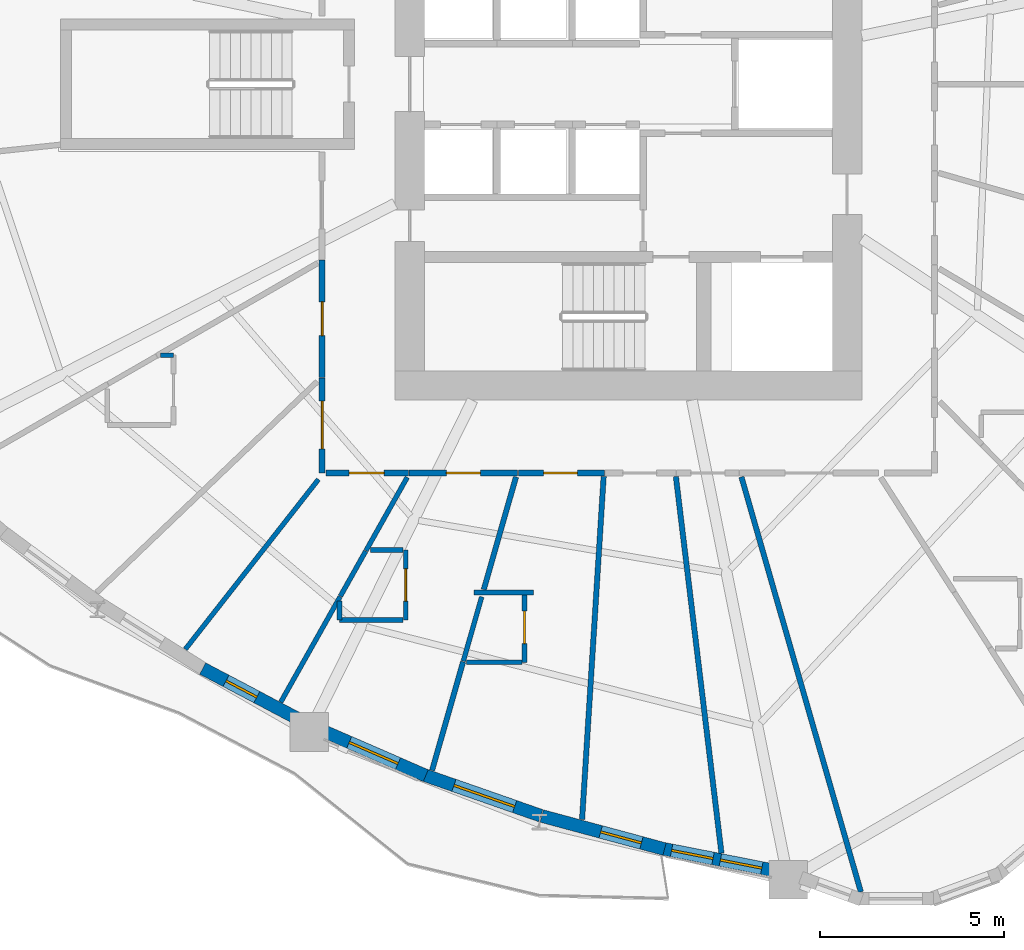
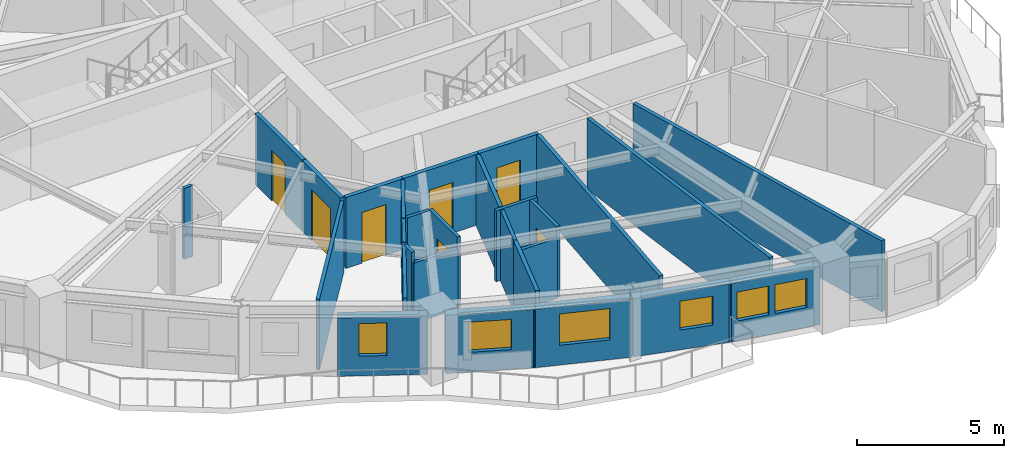
# One storey, part 3 of 14: 28 walls, 7 doors, 6 windows, 13 openings.
"""IFC4 building model written with IfcOpenShell, lengths in metres."""

import ifcopenshell
import ifcopenshell.guid

model = None  # the IFC model being written
_history = None  # IfcOwnerHistory: only IFC2X3 demands one
_inside = {}  # id of a spatial element -> (the spatial element, [elements in it])
_under = {}  # id of a project, library or spatial element -> (it, [spatial elements below it])
_declared = {}  # id of a project -> (the project, [libraries it declares])
_typed = {}  # id of a type object -> (the type object, [elements of that type])
_made_of = {}  # id of a material, layer set ... -> (it, [elements and type objects made of it])


def new_model(schema):
    """Start an empty IFC model of exactly this schema.

    Asked for "IFC4X3", IfcOpenShell would pick the latest addendum, in which some entities
    have other attributes; the version numbers below select the first issue.
    IFC2X3 requires an IfcOwnerHistory on every rooted entity: one is made here for all.
    """
    global model, _history
    if schema == "IFC4X3":
        model = ifcopenshell.file(schema_version=(4, 3, 0, 0))
    else:
        model = ifcopenshell.file(schema=schema)
    _inside.clear()
    _under.clear()
    _declared.clear()
    _typed.clear()
    _made_of.clear()
    _history = None
    if model.schema == "IFC2X3":
        org = make("IfcOrganization", Name="unknown")
        user = make(
            "IfcPersonAndOrganization",
            ThePerson=make("IfcPerson", FamilyName="unknown"),
            TheOrganization=org,
        )
        app = make(
            "IfcApplication",
            ApplicationDeveloper=org,
            Version="unknown",
            ApplicationFullName="unknown",
            ApplicationIdentifier="unknown",
        )
        _history = make(
            "IfcOwnerHistory",
            OwningUser=user,
            OwningApplication=app,
            ChangeAction="ADDED",
            CreationDate=0,
        )
    return model


def make(cls, **values):
    """One entity of the class cls with the attributes given. An attribute that is None is left unset."""
    return model.create_entity(
        cls, **{name: value for name, value in values.items() if value is not None}
    )


def rooted(cls, **values):
    """An entity with a GlobalId (a new one), such as an element, a storey or a relation."""
    return make(cls, GlobalId=ifcopenshell.guid.new(), OwnerHistory=_history, **values)


def si_unit(unit_type, name, prefix=None):
    """IfcSIUnit, for example si_unit("LENGTHUNIT", "METRE", prefix="MILLI")."""
    return make("IfcSIUnit", UnitType=unit_type, Prefix=prefix, Name=name)


def assignment(units):
    """IfcUnitAssignment: the units of a project."""
    return None if units is None else make("IfcUnitAssignment", Units=units)


def point(xyz):
    """IfcCartesianPoint."""
    return None if xyz is None else make("IfcCartesianPoint", Coordinates=xyz)


def direction(xyz):
    """IfcDirection."""
    return None if xyz is None else make("IfcDirection", DirectionRatios=xyz)


def frame(location, z_axis=None, x_axis=None):
    """IfcAxis2Placement3D, a coordinate frame: its origin and axes. An axis left out is left unset."""
    return make(
        "IfcAxis2Placement3D",
        Location=point(location),
        Axis=direction(z_axis),
        RefDirection=direction(x_axis),
    )


def frame_2d(location, x_axis=None):
    """IfcAxis2Placement2D, a coordinate frame in the plane: its origin and x axis."""
    return make(
        "IfcAxis2Placement2D", Location=point(location), RefDirection=direction(x_axis)
    )


def origin():
    """The frame at (0, 0, 0) with its axes left unset."""
    return frame((0.0, 0.0, 0.0))


def place(relative_to, where):
    """IfcLocalPlacement: puts the frame where relative to a parent placement (None: the world)."""
    return make(
        "IfcLocalPlacement", PlacementRelTo=relative_to, RelativePlacement=where
    )


def context(
    kind, dimensions, precision=None, world=None, true_north=None, identifier=None
):
    """IfcGeometricRepresentationContext, for example the 3D "Model" context."""
    return make(
        "IfcGeometricRepresentationContext",
        ContextIdentifier=identifier,
        ContextType=kind,
        CoordinateSpaceDimension=dimensions,
        Precision=precision,
        WorldCoordinateSystem=world,
        TrueNorth=true_north,
    )


def subcontext(parent, identifier, kind, view, scale=None):
    """IfcGeometricRepresentationSubContext, for example "Body" below "Model"."""
    return make(
        "IfcGeometricRepresentationSubContext",
        ContextIdentifier=identifier,
        ContextType=kind,
        ParentContext=parent,
        TargetScale=scale,
        TargetView=view,
    )


def project(units=None, contexts=None):
    """IfcProject with its units and contexts."""
    return rooted(
        "IfcProject",
        Name="project",
        RepresentationContexts=contexts,
        UnitsInContext=assignment(units),
    )


def spatial(cls, under=None, at=None, **own):
    """A site, building, storey or space (cls), placed at a placement, below another one or the project."""
    s = rooted(cls, ObjectPlacement=at, **own)
    if under is not None:
        _under.setdefault(under.id(), (under, []))[1].append(s)
    return s


def profile(cls, at=None, kind="AREA", **sizes):
    """A parametric profile (cls). Its sizes go by their IFC names, for example OverallWidth=200.0."""
    return make(cls, ProfileType=kind, Position=at, **sizes)


def rectangle(**sizes):
    """IfcRectangleProfileDef."""
    return profile("IfcRectangleProfileDef", **sizes)


def extrude(swept, where, along, depth):
    """IfcExtrudedAreaSolid: the profile swept, set in the frame where, extruded along a direction by depth."""
    return make(
        "IfcExtrudedAreaSolid",
        SweptArea=swept,
        Position=where,
        ExtrudedDirection=direction(along),
        Depth=depth,
    )


def shape(context_of_items, identifier, shape_type, items):
    """IfcShapeRepresentation: the items that make up one representation, for example the "Body"."""
    return make(
        "IfcShapeRepresentation",
        ContextOfItems=context_of_items,
        RepresentationIdentifier=identifier,
        RepresentationType=shape_type,
        Items=items,
    )


def source(mapping_origin, context_of_items, identifier, shape_type, items):
    """IfcRepresentationMap: a shape defined once, which mapped items show again and again."""
    return make(
        "IfcRepresentationMap",
        MappingOrigin=mapping_origin,
        MappedRepresentation=shape(context_of_items, identifier, shape_type, items),
    )


def transform(
    local_origin,
    x_axis=None,
    y_axis=None,
    z_axis=None,
    scale=None,
    scale2=None,
    scale3=None,
    uniform=True,
):
    """IfcCartesianTransformationOperator3D, or its non-uniform kind. x_axis, y_axis, z_axis: its Axis1, 2, 3."""
    if uniform:
        return make(
            "IfcCartesianTransformationOperator3D",
            Axis1=direction(x_axis),
            Axis2=direction(y_axis),
            LocalOrigin=point(local_origin),
            Scale=scale,
            Axis3=direction(z_axis),
        )
    return make(
        "IfcCartesianTransformationOperator3DnonUniform",
        Axis1=direction(x_axis),
        Axis2=direction(y_axis),
        LocalOrigin=point(local_origin),
        Scale=scale,
        Axis3=direction(z_axis),
        Scale2=scale2,
        Scale3=scale3,
    )


def mapped(mapping_source, mapping_target):
    """IfcMappedItem: shows the shape of a source again, moved by a transform."""
    return make(
        "IfcMappedItem", MappingSource=mapping_source, MappingTarget=mapping_target
    )


def material(Name=None, Category=None):
    """IfcMaterial."""
    return make("IfcMaterial", Name=Name, Category=Category)


def layer(
    of_material, thickness, ventilated=None, Name=None, Category=None, Priority=None
):
    """IfcMaterialLayer: one layer of a wall or slab, of a material (None: an air gap)."""
    return make(
        "IfcMaterialLayer",
        Material=of_material,
        LayerThickness=thickness,
        IsVentilated=ventilated,
        Name=Name,
        Category=Category,
        Priority=Priority,
    )


def layer_set(layers, Name=None):
    """IfcMaterialLayerSet."""
    return make("IfcMaterialLayerSet", MaterialLayers=layers, LayerSetName=Name)


def made_of(thing, what):
    """Note that an element or type object is made of a material, layer set ...; save() writes the relation."""
    if what is not None:
        _made_of.setdefault(what.id(), (what, []))[1].append(thing)
    return thing


def type_object(cls, material=None, **own):
    """A type object (cls), such as IfcWallType, which elements share."""
    return made_of(rooted(cls, **own), material)


def element(
    cls,
    number,
    at=None,
    inside=None,
    cuts=None,
    type_object=None,
    material=None,
    context=None,
    identifier="Body",
    shape_type=None,
    held_by="IfcProductDefinitionShape",
    body=None,
    shapes=None,
    **own,
):
    """One element of the class cls, such as IfcWall. Its Tag is "e" and its number.

    at: its placement. inside: the storey or other place that contains it. cuts: it is an
    opening in that element (IfcRelVoidsElement). A single representation is given by context,
    identifier, shape_type and body (its items); several are given by shapes. held_by: the class
    of the entity that holds the representations. save() writes the other relations.
    """
    e = rooted(cls, Tag="e%d" % number, ObjectPlacement=at, **own)
    if body is not None:
        shapes = [shape(context, identifier, shape_type, body)]
    if shapes is not None:
        e.Representation = make(held_by, Representations=shapes)
    if inside is not None:
        _inside.setdefault(inside.id(), (inside, []))[1].append(e)
    if cuts is not None:
        rooted(
            "IfcRelVoidsElement", RelatingBuildingElement=cuts, RelatedOpeningElement=e
        )
    if type_object is not None:
        _typed.setdefault(type_object.id(), (type_object, []))[1].append(e)
    return made_of(e, material)


def fill(opening, filler):
    """IfcRelFillsElement: the door or window that sits in an opening."""
    return rooted(
        "IfcRelFillsElement",
        RelatingOpeningElement=opening,
        RelatedBuildingElement=filler,
    )


def aggregate(whole, parts):
    """IfcRelAggregates: a whole, such as a stair, and the parts it consists of."""
    return rooted("IfcRelAggregates", RelatingObject=whole, RelatedObjects=parts)


def save(model, path):
    """Write the relations noted so far, then the file.

    IfcRelAggregates (storeys below a building ...), IfcRelContainedInSpatialStructure (elements
    in a storey), IfcRelDefinesByType, IfcRelAssociatesMaterial and IfcRelDeclares: one each for
    every whole, place, type object, material and project.
    """
    for whole, parts in _under.values():
        aggregate(whole, parts)
    for where, things in _inside.values():
        rooted(
            "IfcRelContainedInSpatialStructure",
            RelatedElements=things,
            RelatingStructure=where,
        )
    for kind, things in _typed.values():
        rooted("IfcRelDefinesByType", RelatedObjects=things, RelatingType=kind)
    for what, things in _made_of.values():
        rooted("IfcRelAssociatesMaterial", RelatedObjects=things, RelatingMaterial=what)
    for by, libraries in _declared.values():
        rooted("IfcRelDeclares", RelatingContext=by, RelatedDefinitions=libraries)
    model.write(path)


model = new_model("IFC4")

# Units and contexts
model_context = context("Model", 3, precision=1e-05, world=origin(), true_north=direction((0.0, 1.0)))
body_context = subcontext(model_context, "Body", "Model", "MODEL_VIEW")
ifc_project = project(units=[si_unit("LENGTHUNIT", "METRE"), si_unit("AREAUNIT", "SQUARE_METRE"), si_unit("VOLUMEUNIT", "CUBIC_METRE"), si_unit("PLANEANGLEUNIT", "RADIAN"), si_unit("MASSUNIT", "GRAM", prefix="KILO")], contexts=[model_context])

# Site, building, storey
site_placement = place(None, origin())
site = spatial("IfcSite", under=ifc_project, at=site_placement, CompositionType="ELEMENT")
building_placement = place(site_placement, origin())
building = spatial("IfcBuilding", under=site, at=building_placement, Name="Qafzar Sky-Pleat Residences", CompositionType="ELEMENT")
storey_placement = place(building_placement, frame((0.0, 0.0, 14.199951171875)))
storey = spatial("IfcBuildingStorey", under=building, at=storey_placement, Name="L03", CompositionType="ELEMENT", Elevation=14.199951171875)

# Wall, opening, door
ifc_material_1 = material(Name="Acoustic gypsum plasterboard partition", Category="gypsum")
ifc_layer_1 = layer(ifc_material_1, 0.159912109375)
ifc_layer_set_1 = layer_set([ifc_layer_1], Name="Acoustic gypsum plasterboard partition")
wall_type_1 = type_object("IfcWallType", Name="PART-COR-160", PredefinedType="PARTITIONING", material=ifc_layer_set_1)
wall_1_placement = place(storey_placement, frame((22.02001953125, 18.013916015625, 0.0), z_axis=(0.0, 0.0, 1.0), x_axis=(0.0, 1.0, 0.0)))
wall_1 = element("IfcWall", 1, at=wall_1_placement, inside=storey, type_object=wall_type_1, Name="L03 Partition Wall PART-L03-PW-005", PredefinedType="PARTITIONING", context=body_context, shape_type="SweptSolid", body=[
    extrude(rectangle(XDim=3.2041015625, YDim=0.159912109375, at=frame_2d((1.60205078125, 0.0))), origin(), (0.0, 0.0, 1.0), 2.93994140625),
])
opening_1_placement = place(wall_1_placement, frame((1.14404296875, 0.0, 0.0)))
opening_1 = element("IfcOpeningElement", 2, at=opening_1_placement, cuts=wall_1, Name="Opening ID-04", PredefinedType="OPENING", context=body_context, shape_type="SweptSolid", body=[
    extrude(rectangle(XDim=0.919921875, YDim=2.10009765625, at=frame_2d((0.4599609375, 1.050048828125))), frame((0.0, 0.08984375, 0.0), z_axis=(0.0, -1.0, 0.0), x_axis=(1.0, 0.0, 0.0)), (0.0, 0.0, 1.0), 0.179931640625),
])
ifc_material_2 = material(Name="Timber-faced fire door", Category="wood")
door_type_1 = type_object("IfcDoorType", Name="DR-BED-920", OperationType="NOTDEFINED", PredefinedType="DOOR", material=ifc_material_2)
shared_shape_1 = source(origin(), body_context, "Body", "SweptSolid", [
    extrude(rectangle(XDim=0.919921875, YDim=2.10009765625, at=frame_2d((0.4599609375, 1.050048828125))), frame((0.0, 0.02490234375, 0.0), z_axis=(0.0, -1.0, 0.0), x_axis=(1.0, 0.0, 0.0)), (0.0, 0.0, 1.0), 0.050048828125),
])
door_1_placement = place(opening_1_placement, origin())
door_1 = element("IfcDoor", 3, at=door_1_placement, inside=storey, type_object=door_type_1, Name="L03 Co-Living Bedroom 12 Door", OperationType="SINGLE_SWING_RIGHT", OverallHeight=2.10009765625, OverallWidth=0.919921875, PredefinedType="DOOR", context=body_context, shape_type="MappedRepresentation", body=[
    mapped(shared_shape_1, transform((0.0, 0.0, 0.0), x_axis=(1.0, 0.0, 0.0), y_axis=(0.0, 1.0, 0.0), z_axis=(0.0, 0.0, 1.0), scale=1.0)),
])
fill(opening_1, door_1)

wall_2_placement = place(storey_placement, frame((27.340087890625, 15.419921875, 0.0), z_axis=(0.0, 0.0, 1.0), x_axis=(-1.0, 0.0, 0.0)))
wall_2 = element("IfcWall", 4, at=wall_2_placement, inside=storey, type_object=wall_type_1, Name="L03 Partition Wall PART-L03-PW-009", PredefinedType="PARTITIONING", context=body_context, shape_type="SweptSolid", body=[
    extrude(rectangle(XDim=2.95703125, YDim=0.159912109375, at=frame_2d((1.478515625, 0.0))), origin(), (0.0, 0.0, 1.0), 2.93994140625),
])
opening_2_placement = place(wall_2_placement, frame((1.01806640625, 0.0, 0.0)))
opening_2 = element("IfcOpeningElement", 5, at=opening_2_placement, cuts=wall_2, Name="Opening ID-04", PredefinedType="OPENING", context=body_context, shape_type="SweptSolid", body=[
    extrude(rectangle(XDim=0.919921875, YDim=2.10009765625, at=frame_2d((0.4599609375, 1.050048828125))), frame((0.0, 0.08984375, 0.0), z_axis=(0.0, -1.0, 0.0), x_axis=(1.0, 0.0, 0.0)), (0.0, 0.0, 1.0), 0.179931640625),
])
door_2_placement = place(opening_2_placement, origin())
door_2 = element("IfcDoor", 6, at=door_2_placement, inside=storey, type_object=door_type_1, Name="L03 Co-Living Bedroom 13 Door", OperationType="SINGLE_SWING_LEFT", OverallHeight=2.10009765625, OverallWidth=0.919921875, PredefinedType="DOOR", context=body_context, shape_type="MappedRepresentation", body=[
    mapped(shared_shape_1, transform((0.0, 0.0, 0.0), x_axis=(1.0, 0.0, 0.0), y_axis=(0.0, 1.0, 0.0), z_axis=(0.0, 0.0, 1.0), scale=1.0)),
])
fill(opening_2, door_2)

wall_3_placement = place(storey_placement, frame((22.02001953125, 15.419921875, 0.0), z_axis=(0.0, 0.0, 1.0), x_axis=(0.0, 1.0, 0.0)))
wall_3 = element("IfcWall", 7, at=wall_3_placement, inside=storey, type_object=wall_type_1, Name="L03 Partition Wall PART-L03-PW-011", PredefinedType="PARTITIONING", context=body_context, shape_type="SweptSolid", body=[
    extrude(rectangle(XDim=2.5791015625, YDim=0.159912109375, at=frame_2d((1.28955078125, 0.0))), origin(), (0.0, 0.0, 1.0), 2.93994140625),
])
opening_3_placement = place(wall_3_placement, frame((0.657470703125, 0.0, 0.0)))
opening_3 = element("IfcOpeningElement", 8, at=opening_3_placement, cuts=wall_3, Name="Opening ID-05", PredefinedType="OPENING", context=body_context, shape_type="SweptSolid", body=[
    extrude(rectangle(XDim=1.300048828125, YDim=2.10009765625, at=frame_2d((0.64990234375, 1.050048828125))), frame((0.0, 0.08984375, 0.0), z_axis=(0.0, -1.0, 0.0), x_axis=(1.0, 0.0, 0.0)), (0.0, 0.0, 1.0), 0.179931640625),
])
door_type_2 = type_object("IfcDoorType", Name="DR-LNG-1300", OperationType="DOUBLE_DOOR_SINGLE_SWING", PredefinedType="DOOR", material=ifc_material_2)
shared_shape_2 = source(origin(), body_context, "Body", "SweptSolid", [
    extrude(rectangle(XDim=1.300048828125, YDim=2.10009765625, at=frame_2d((0.64990234375, 1.050048828125))), frame((0.0, 0.02490234375, 0.0), z_axis=(0.0, -1.0, 0.0), x_axis=(1.0, 0.0, 0.0)), (0.0, 0.0, 1.0), 0.050048828125),
])
door_3_placement = place(opening_3_placement, origin())
door_3 = element("IfcDoor", 9, at=door_3_placement, inside=storey, type_object=door_type_2, Name="L03 Scholar Study Room Door", OperationType="DOUBLE_DOOR_SINGLE_SWING", OverallHeight=2.10009765625, OverallWidth=1.300048828125, PredefinedType="DOOR", context=body_context, shape_type="MappedRepresentation", body=[
    mapped(shared_shape_2, transform((0.0, 0.0, 0.0), x_axis=(1.0, 0.0, 0.0), y_axis=(0.0, 1.0, 0.0), z_axis=(0.0, 0.0, 1.0), scale=1.0)),
])
fill(opening_3, door_3)

wall_4_placement = place(storey_placement, frame((29.698974609375, 15.419921875, 0.0), z_axis=(0.0, 0.0, 1.0), x_axis=(-1.0, 0.0, 0.0)))
wall_4 = element("IfcWall", 10, at=wall_4_placement, inside=storey, type_object=wall_type_1, Name="L03 Partition Wall PART-L03-PW-016", PredefinedType="PARTITIONING", context=body_context, shape_type="SweptSolid", body=[
    extrude(rectangle(XDim=2.343994140625, YDim=0.159912109375, at=frame_2d((1.171875, 0.0))), origin(), (0.0, 0.0, 1.0), 2.93994140625),
])
opening_4_placement = place(wall_4_placement, frame((0.735107421875, 0.0, 0.0)))
opening_4 = element("IfcOpeningElement", 11, at=opening_4_placement, cuts=wall_4, Name="Opening ID-04", PredefinedType="OPENING", context=body_context, shape_type="SweptSolid", body=[
    extrude(rectangle(XDim=0.919921875, YDim=2.10009765625, at=frame_2d((0.4599609375, 1.050048828125))), frame((0.0, 0.08984375, 0.0), z_axis=(0.0, -1.0, 0.0), x_axis=(1.0, 0.0, 0.0)), (0.0, 0.0, 1.0), 0.179931640625),
])
door_4_placement = place(opening_4_placement, origin())
door_4 = element("IfcDoor", 12, at=door_4_placement, inside=storey, type_object=door_type_1, Name="L03 Co-Living Bedroom 14 Door", OperationType="SINGLE_SWING_LEFT", OverallHeight=2.10009765625, OverallWidth=0.919921875, PredefinedType="DOOR", context=body_context, shape_type="MappedRepresentation", body=[
    mapped(shared_shape_1, transform((0.0, 0.0, 0.0), x_axis=(1.0, 0.0, 0.0), y_axis=(0.0, 1.0, 0.0), z_axis=(0.0, 0.0, 1.0), scale=1.0)),
])
fill(opening_4, door_4)

wall_5_placement = place(storey_placement, frame((24.367919921875, 15.419921875, 0.0), z_axis=(0.0, 0.0, 1.0), x_axis=(-1.0, 0.0, 0.0)))
wall_5 = element("IfcWall", 13, at=wall_5_placement, inside=storey, type_object=wall_type_1, Name="L03 Partition Wall PART-L03-PW-017", PredefinedType="PARTITIONING", context=body_context, shape_type="SweptSolid", body=[
    extrude(rectangle(XDim=2.243896484375, YDim=0.159912109375, at=frame_2d((1.1220703125, 0.0))), origin(), (0.0, 0.0, 1.0), 2.93994140625),
])
opening_5_placement = place(wall_5_placement, frame((0.66552734375, 0.0, 0.0)))
opening_5 = element("IfcOpeningElement", 14, at=opening_5_placement, cuts=wall_5, Name="Opening ID-08", PredefinedType="OPENING", context=body_context, shape_type="SweptSolid", body=[
    extrude(rectangle(XDim=0.949951171875, YDim=2.10009765625, at=frame_2d((0.47509765625, 1.050048828125))), frame((0.0, 0.08984375, 0.0), z_axis=(0.0, -1.0, 0.0), x_axis=(1.0, 0.0, 0.0)), (0.0, 0.0, 1.0), 0.179931640625),
])
door_type_3 = type_object("IfcDoorType", Name="DR-AWC-950", OperationType="NOTDEFINED", PredefinedType="DOOR", material=ifc_material_2)
shared_shape_3 = source(origin(), body_context, "Body", "SweptSolid", [
    extrude(rectangle(XDim=0.949951171875, YDim=2.10009765625, at=frame_2d((0.47509765625, 1.050048828125))), frame((0.0, 0.02490234375, 0.0), z_axis=(0.0, -1.0, 0.0), x_axis=(1.0, 0.0, 0.0)), (0.0, 0.0, 1.0), 0.050048828125),
])
door_5_placement = place(opening_5_placement, origin())
door_5 = element("IfcDoor", 15, at=door_5_placement, inside=storey, type_object=door_type_3, Name="L03 Accessible Shared Washroom Door", OperationType="SINGLE_SWING_RIGHT", OverallHeight=2.10009765625, OverallWidth=0.949951171875, PredefinedType="DOOR", context=body_context, shape_type="MappedRepresentation", body=[
    mapped(shared_shape_3, transform((0.0, 0.0, 0.0), x_axis=(1.0, 0.0, 0.0), y_axis=(0.0, 1.0, 0.0), z_axis=(0.0, 0.0, 1.0), scale=1.0)),
])
fill(opening_5, door_5)

# Walls
ifc_layer_2 = layer(ifc_material_1, 0.14501953125)
ifc_layer_set_2 = layer_set([ifc_layer_2], Name="Acoustic gypsum plasterboard partition")
wall_type_2 = type_object("IfcWallType", Name="PART-UNIT-145", PredefinedType="PARTITIONING", material=ifc_layer_set_2)
wall_6_placement = place(storey_placement, frame((33.426025390625, 15.312255859375, 0.0), z_axis=(0.0, 0.0, 1.0), x_axis=(0.276606114731, -0.960983380342, 0.0)))
element("IfcWall", 16, at=wall_6_placement, inside=storey, type_object=wall_type_2, Name="L03 Partition Wall PART-L03-PW-039", PredefinedType="PARTITIONING", context=body_context, shape_type="SweptSolid", body=[
    extrude(rectangle(XDim=11.748779296875, YDim=0.14501953125, at=frame_2d((5.87451171875, 0.0))), origin(), (0.0, 0.0, 1.0), 2.93994140625),
])
wall_7_placement = place(storey_placement, frame((31.642578125, 15.3232421875, 0.0), z_axis=(0.0, 0.0, 1.0), x_axis=(0.120185874717, -0.992751406707, 0.0)))
element("IfcWall", 17, at=wall_7_placement, inside=storey, type_object=wall_type_2, Name="L03 Partition Wall PART-L03-PW-043", PredefinedType="PARTITIONING", context=body_context, shape_type="SweptSolid", body=[
    extrude(rectangle(XDim=10.323486328125, YDim=0.14501953125, at=frame_2d((5.16162109375, 0.0))), origin(), (0.0, 0.0, 1.0), 2.93994140625),
])
wall_8_placement = place(storey_placement, frame((29.091064453125, 5.995849609375, 0.0), z_axis=(0.0, 0.0, 1.0), x_axis=(0.062797687125, 0.998026277456, 0.0)))
element("IfcWall", 18, at=wall_8_placement, inside=storey, type_object=wall_type_2, Name="L03 Partition Wall PART-L03-PW-045", PredefinedType="PARTITIONING", context=body_context, shape_type="SweptSolid", body=[
    extrude(rectangle(XDim=9.35009765625, YDim=0.14501953125, at=frame_2d((4.675048828125, 0.0))), origin(), (0.0, 0.0, 1.0), 2.93994140625),
])
wall_9_placement = place(storey_placement, frame((26.41650390625, 12.24755859375, 0.0), z_axis=(0.0, 0.0, 1.0), x_axis=(0.275014447674, 0.961440093594, 0.0)))
element("IfcWall", 19, at=wall_9_placement, inside=storey, type_object=wall_type_2, Name="L03 Partition Wall PART-L03-PW-064", PredefinedType="PARTITIONING", context=body_context, shape_type="SweptSolid", body=[
    extrude(rectangle(XDim=3.187744140625, YDim=0.14501953125, at=frame_2d((1.59375, 0.0))), origin(), (0.0, 0.0, 1.0), 2.93994140625),
])
wall_10_placement = place(storey_placement, frame((25.00927734375, 7.32666015625, 0.0), z_axis=(0.0, 0.0, 1.0), x_axis=(0.274867847045, 0.961482015776, 0.0)))
element("IfcWall", 20, at=wall_10_placement, inside=storey, type_object=wall_type_2, Name="L03 Partition Wall PART-L03-PW-066", PredefinedType="PARTITIONING", context=body_context, shape_type="SweptSolid", body=[
    extrude(rectangle(XDim=3.07666015625, YDim=0.14501953125, at=frame_2d((1.538330078125, 0.0))), origin(), (0.0, 0.0, 1.0), 2.93994140625),
])

# Wall, opening, door
ifc_material_3 = material(Name="Moisture-resistant gypsum partition", Category="gypsum")
ifc_layer_3 = layer(ifc_material_3, 0.1298828125)
ifc_layer_set_3 = layer_set([ifc_layer_3], Name="Moisture-resistant gypsum partition")
wall_type_3 = type_object("IfcWallType", Name="PART-WET-130", PredefinedType="PARTITIONING", material=ifc_layer_set_3)
wall_11_placement = place(storey_placement, frame((24.29296875, 11.4208984375, 0.0), z_axis=(0.0, 0.0, 1.0), x_axis=(0.0, 1.0, 0.0)))
wall_11 = element("IfcWall", 21, at=wall_11_placement, inside=storey, type_object=wall_type_3, Name="L03 Partition Wall PART-L03-PW-025", PredefinedType="PARTITIONING", context=body_context, shape_type="SweptSolid", body=[
    extrude(rectangle(XDim=1.900146484375, YDim=0.1298828125, at=frame_2d((0.9501953125, 0.0))), origin(), (0.0, 0.0, 1.0), 2.93994140625),
])
opening_6_placement = place(wall_11_placement, frame((0.510009765625, 0.0, 0.0)))
opening_6 = element("IfcOpeningElement", 22, at=opening_6_placement, cuts=wall_11, Name="Opening ID-07", PredefinedType="OPENING", context=body_context, shape_type="SweptSolid", body=[
    extrude(rectangle(XDim=0.8798828125, YDim=2.050048828125, at=frame_2d((0.43994140625, 1.02490234375))), frame((0.0, 0.074951171875, 0.0), z_axis=(0.0, -1.0, 0.0), x_axis=(1.0, 0.0, 0.0)), (0.0, 0.0, 1.0), 0.14990234375),
])
door_type_4 = type_object("IfcDoorType", Name="DR-WET-880", OperationType="NOTDEFINED", PredefinedType="DOOR", material=ifc_material_2)
shared_shape_4 = source(origin(), body_context, "Body", "SweptSolid", [
    extrude(rectangle(XDim=0.8798828125, YDim=2.050048828125, at=frame_2d((0.43994140625, 1.02490234375))), frame((0.0, 0.02490234375, 0.0), z_axis=(0.0, -1.0, 0.0), x_axis=(1.0, 0.0, 0.0)), (0.0, 0.0, 1.0), 0.050048828125),
])
door_6_placement = place(opening_6_placement, origin())
door_6 = element("IfcDoor", 23, at=door_6_placement, inside=storey, type_object=door_type_4, Name="L03 En-suite Bathroom 13 Door", OperationType="SINGLE_SWING_LEFT", OverallHeight=2.050048828125, OverallWidth=0.8798828125, PredefinedType="DOOR", context=body_context, shape_type="MappedRepresentation", body=[
    mapped(shared_shape_4, transform((0.0, 0.0, 0.0), x_axis=(1.0, 0.0, 0.0), y_axis=(0.0, 1.0, 0.0), z_axis=(0.0, 0.0, 1.0), scale=1.0)),
])
fill(opening_6, door_6)

wall_12_placement = place(storey_placement, frame((27.52392578125, 10.27001953125, 0.0), z_axis=(0.0, 0.0, 1.0), x_axis=(0.0, 1.0, 0.0)))
wall_12 = element("IfcWall", 24, at=wall_12_placement, inside=storey, type_object=wall_type_3, Name="L03 Partition Wall PART-L03-PW-026", PredefinedType="PARTITIONING", context=body_context, shape_type="SweptSolid", body=[
    extrude(rectangle(XDim=1.826904296875, YDim=0.1298828125, at=frame_2d((0.91357421875, 0.0))), origin(), (0.0, 0.0, 1.0), 2.93994140625),
])
opening_7_placement = place(wall_12_placement, frame((0.510009765625, 0.0, 0.0)))
opening_7 = element("IfcOpeningElement", 25, at=opening_7_placement, cuts=wall_12, Name="Opening ID-07", PredefinedType="OPENING", context=body_context, shape_type="SweptSolid", body=[
    extrude(rectangle(XDim=0.8798828125, YDim=2.050048828125, at=frame_2d((0.43994140625, 1.02490234375))), frame((0.0, 0.074951171875, 0.0), z_axis=(0.0, -1.0, 0.0), x_axis=(1.0, 0.0, 0.0)), (0.0, 0.0, 1.0), 0.14990234375),
])
door_7_placement = place(opening_7_placement, origin())
door_7 = element("IfcDoor", 26, at=door_7_placement, inside=storey, type_object=door_type_4, Name="L03 En-suite Bathroom 14 Door", OperationType="SINGLE_SWING_RIGHT", OverallHeight=2.050048828125, OverallWidth=0.8798828125, PredefinedType="DOOR", context=body_context, shape_type="MappedRepresentation", body=[
    mapped(shared_shape_4, transform((0.0, 0.0, 0.0), x_axis=(1.0, 0.0, 0.0), y_axis=(0.0, 1.0, 0.0), z_axis=(0.0, 0.0, 1.0), scale=1.0)),
])
fill(opening_7, door_7)

# Walls
wall_13_placement = place(storey_placement, frame((18.29638671875, 10.624755859375, 0.0), z_axis=(0.0, 0.0, 1.0), x_axis=(0.616906721473, 0.787036274261, 0.0)))
element("IfcWall", 27, at=wall_13_placement, inside=storey, type_object=wall_type_3, Name="L03 Partition Wall PART-L03-PW-054", PredefinedType="PARTITIONING", context=body_context, shape_type="SweptSolid", body=[
    extrude(rectangle(XDim=5.8720703125, YDim=0.1298828125, at=frame_2d((2.93603515625, 0.0))), origin(), (0.0, 0.0, 1.0), 2.93994140625),
])
wall_14_placement = place(storey_placement, frame((20.8935546875, 9.18701171875, 0.0), z_axis=(0.0, 0.0, 1.0), x_axis=(0.490433761368, 0.871478471169, 0.0)))
element("IfcWall", 28, at=wall_14_placement, inside=storey, type_object=wall_type_3, Name="L03 Partition Wall PART-L03-PW-065", PredefinedType="PARTITIONING", context=body_context, shape_type="SweptSolid", body=[
    extrude(rectangle(XDim=3.2919921875, YDim=0.1298828125, at=frame_2d((1.64599609375, 0.0))), origin(), (0.0, 0.0, 1.0), 2.93994140625),
])
wall_15_placement = place(storey_placement, frame((23.2109375, 13.305908203125, 0.0), z_axis=(0.0, 0.0, 1.0), x_axis=(0.490235923681, 0.871589776864, 0.0)))
element("IfcWall", 29, at=wall_15_placement, inside=storey, type_object=wall_type_3, Name="L03 Partition Wall PART-L03-PW-074", PredefinedType="PARTITIONING", context=body_context, shape_type="SweptSolid", body=[
    extrude(rectangle(XDim=2.289306640625, YDim=0.1298828125, at=frame_2d((1.14453125, 0.0))), origin(), (0.0, 0.0, 1.0), 2.93994140625),
])
wall_16_placement = place(storey_placement, frame((25.859619140625, 10.29931640625, 0.0), z_axis=(0.0, 0.0, 1.0), x_axis=(0.275022188369, 0.961437879379, 0.0)))
element("IfcWall", 30, at=wall_16_placement, inside=storey, type_object=wall_type_3, Name="L03 Partition Wall PART-L03-PW-075", PredefinedType="PARTITIONING", context=body_context, shape_type="SweptSolid", body=[
    extrude(rectangle(XDim=1.82080078125, YDim=0.1298828125, at=frame_2d((0.910400390625, 0.0))), origin(), (0.0, 0.0, 1.0), 2.93994140625),
])
wall_17_placement = place(storey_placement, frame((22.492919921875, 11.4208984375, 0.0), z_axis=(0.0, 0.0, 1.0), x_axis=(1.0, 0.0, 0.0)))
element("IfcWall", 31, at=wall_17_placement, inside=storey, type_object=wall_type_3, Name="L03 Partition Wall PART-L03-PW-085", PredefinedType="PARTITIONING", context=body_context, shape_type="SweptSolid", body=[
    extrude(rectangle(XDim=1.72705078125, YDim=0.1298828125, at=frame_2d((0.863525390625, 0.0))), origin(), (0.0, 0.0, 1.0), 2.508056640625),
])
wall_18_placement = place(storey_placement, frame((25.952880859375, 10.27001953125, 0.0), z_axis=(0.0, 0.0, 1.0), x_axis=(1.0, 0.0, 0.0)))
element("IfcWall", 32, at=wall_18_placement, inside=storey, type_object=wall_type_3, Name="L03 Partition Wall PART-L03-PW-096", PredefinedType="PARTITIONING", context=body_context, shape_type="SweptSolid", body=[
    extrude(rectangle(XDim=1.498046875, YDim=0.1298828125, at=frame_2d((0.7490234375, 0.0))), origin(), (0.0, 0.0, 1.0), 2.508056640625),
])
wall_19_placement = place(storey_placement, frame((22.51513671875, 12.069091796875, 0.0), z_axis=(0.0, 0.0, 1.0), x_axis=(0.490286002917, 0.871561607314, 0.0)))
element("IfcWall", 33, at=wall_19_placement, inside=storey, type_object=wall_type_3, Name="L03 Partition Wall PART-L03-PW-100", PredefinedType="PARTITIONING", context=body_context, shape_type="SweptSolid", body=[
    extrude(rectangle(XDim=1.404296875, YDim=0.1298828125, at=frame_2d((0.7021484375, 0.0))), origin(), (0.0, 0.0, 1.0), 2.93994140625),
])
wall_20_placement = place(storey_placement, frame((26.155029296875, 12.169921875, 0.0), z_axis=(0.0, 0.0, 1.0), x_axis=(1.0, 0.0, 0.0)))
element("IfcWall", 34, at=wall_20_placement, inside=storey, type_object=wall_type_3, Name="L03 Partition Wall PART-L03-PW-105", PredefinedType="PARTITIONING", context=body_context, shape_type="SweptSolid", body=[
    extrude(rectangle(XDim=1.60888671875, YDim=0.1298828125, at=frame_2d((0.804443359375, 0.0))), origin(), (0.0, 0.0, 1.0), 2.93994140625),
])
wall_21_placement = place(storey_placement, frame((23.338134765625, 13.321044921875, 0.0), z_axis=(0.0, 0.0, 1.0), x_axis=(1.0, 0.0, 0.0)))
element("IfcWall", 35, at=wall_21_placement, inside=storey, type_object=wall_type_3, Name="L03 Partition Wall PART-L03-PW-107", PredefinedType="PARTITIONING", context=body_context, shape_type="SweptSolid", body=[
    extrude(rectangle(XDim=0.8818359375, YDim=0.1298828125, at=frame_2d((0.44091796875, 0.0))), origin(), (0.0, 0.0, 1.0), 2.93994140625),
])
wall_22_placement = place(storey_placement, frame((22.492919921875, 11.4208984375, 0.0), z_axis=(0.0, 0.0, 1.0), x_axis=(0.0, 1.0, 0.0)))
element("IfcWall", 36, at=wall_22_placement, inside=storey, type_object=wall_type_3, Name="L03 Partition Wall PART-L03-PW-116", PredefinedType="PARTITIONING", context=body_context, shape_type="SweptSolid", body=[
    extrude(rectangle(XDim=0.51904296875, YDim=0.1298828125, at=frame_2d((0.259521484375, 0.0))), origin(), (0.0, 0.0, 1.0), 2.93994140625),
])
wall_23_placement = place(storey_placement, frame((17.623046875, 18.625, 0.0), z_axis=(0.0, 0.0, 1.0), x_axis=(1.0, 0.0, 0.0)))
element("IfcWall", 37, at=wall_23_placement, inside=storey, type_object=wall_type_3, Name="L03 Partition Wall PART-L03-PW-118", PredefinedType="PARTITIONING", context=body_context, shape_type="SweptSolid", body=[
    extrude(rectangle(XDim=0.349853515625, YDim=0.1298828125, at=frame_2d((0.1748046875, 0.0))), origin(), (0.0, 0.0, 1.0), 2.93994140625),
])

# Wall, opening, window
ifc_material_4 = material(Name="Precast concrete C40/50 with honed Riyadh limestone", Category="concrete")
ifc_layer_4 = layer(ifc_material_4, 0.35009765625)
ifc_layer_set_4 = layer_set([ifc_layer_4], Name="Precast concrete C40/50 with honed Riyadh limestone")
wall_type_4 = type_object("IfcWallType", Name="WALL-EXT-350", PredefinedType="SOLIDWALL", material=ifc_layer_set_4)
wall_24_placement = place(storey_placement, frame((18.7685546875, 10.099609375, 0.0), z_axis=(0.0, 0.0, 1.0), x_axis=(0.884401188265, -0.466727477438, 0.0)))
wall_24 = element("IfcWall", 38, at=wall_24_placement, inside=storey, type_object=wall_type_4, Name="L03 Limestone Facade Wall 12", PredefinedType="SOLIDWALL", context=body_context, shape_type="SweptSolid", body=[
    extrude(rectangle(XDim=3.06591796875, YDim=0.35009765625, at=frame_2d((1.532958984375, 0.0))), origin(), (0.0, 0.0, 1.0), 2.420166015625),
])
opening_8_placement = place(wall_24_placement, frame((0.71728515625, 0.0, 0.820068359375)))
opening_8 = element("IfcOpeningElement", 39, at=opening_8_placement, cuts=wall_24, Name="Opening WN-12", PredefinedType="OPENING", context=body_context, shape_type="SweptSolid", body=[
    extrude(rectangle(XDim=0.949951171875, YDim=1.35009765625, at=frame_2d((0.47509765625, 0.675048828125))), frame((0.0, 0.18505859375, 0.0), z_axis=(0.0, -1.0, 0.0), x_axis=(1.0, 0.0, 0.0)), (0.0, 0.0, 1.0), 0.3701171875),
])
ifc_material_5 = material(Name="Solar-control low-E glass in bronze aluminium frame", Category="glass")
window_type_1 = type_object("IfcWindowType", Name="WIN-12", PartitioningType="SINGLE_PANEL", PredefinedType="WINDOW", material=ifc_material_5)
shared_shape_5 = source(origin(), body_context, "Body", "SweptSolid", [
    extrude(rectangle(XDim=0.949951171875, YDim=1.35009765625, at=frame_2d((0.47509765625, 0.675048828125))), frame((0.0, 0.030029296875, 0.0), z_axis=(0.0, -1.0, 0.0), x_axis=(1.0, 0.0, 0.0)), (0.0, 0.0, 1.0), 0.06005859375),
])
window_1_placement = place(opening_8_placement, origin())
window_1 = element("IfcWindow", 40, at=window_1_placement, inside=storey, type_object=window_type_1, Name="L03 Punched Facade Window 12", OverallHeight=1.35009765625, OverallWidth=0.949951171875, PartitioningType="SINGLE_PANEL", PredefinedType="WINDOW", context=body_context, shape_type="MappedRepresentation", body=[
    mapped(shared_shape_5, transform((0.0, 0.0, 0.0), x_axis=(1.0, 0.0, 0.0), y_axis=(0.0, 1.0, 0.0), z_axis=(0.0, 0.0, 1.0), scale=1.0)),
])
fill(opening_8, window_1)

wall_25_placement = place(storey_placement, frame((22.008544921875, 8.414794921875, 0.0), z_axis=(0.0, 0.0, 1.0), x_axis=(0.917077605242, -0.398708748292, 0.0)))
wall_25 = element("IfcWall", 41, at=wall_25_placement, inside=storey, type_object=wall_type_4, Name="L03 Limestone Facade Wall 13", PredefinedType="SOLIDWALL", context=body_context, shape_type="SweptSolid", body=[
    extrude(rectangle(XDim=3.0849609375, YDim=0.35009765625, at=frame_2d((1.54248046875, 0.0))), origin(), (0.0, 0.0, 1.0), 2.420166015625),
])
opening_9_placement = place(wall_25_placement, frame((0.8125, 0.0, 0.820068359375)))
opening_9 = element("IfcOpeningElement", 42, at=opening_9_placement, cuts=wall_25, Name="Opening WN-15", PredefinedType="OPENING", context=body_context, shape_type="SweptSolid", body=[
    extrude(rectangle(XDim=1.449951171875, YDim=1.25, at=frame_2d((0.72509765625, 0.625))), frame((0.0, 0.18505859375, 0.0), z_axis=(0.0, -1.0, 0.0), x_axis=(1.0, 0.0, 0.0)), (0.0, 0.0, 1.0), 0.3701171875),
])
window_type_2 = type_object("IfcWindowType", Name="WIN-15", PartitioningType="SINGLE_PANEL", PredefinedType="WINDOW", material=ifc_material_5)
shared_shape_6 = source(origin(), body_context, "Body", "SweptSolid", [
    extrude(rectangle(XDim=1.449951171875, YDim=1.25, at=frame_2d((0.72509765625, 0.625))), frame((0.0, 0.030029296875, 0.0), z_axis=(0.0, -1.0, 0.0), x_axis=(1.0, 0.0, 0.0)), (0.0, 0.0, 1.0), 0.06005859375),
])
window_2_placement = place(opening_9_placement, origin())
window_2 = element("IfcWindow", 43, at=window_2_placement, inside=storey, type_object=window_type_2, Name="L03 Punched Facade Window 13", OverallHeight=1.25, OverallWidth=1.449951171875, PartitioningType="SINGLE_PANEL", PredefinedType="WINDOW", context=body_context, shape_type="MappedRepresentation", body=[
    mapped(shared_shape_6, transform((0.0, 0.0, 0.0), x_axis=(1.0, 0.0, 0.0), y_axis=(0.0, 1.0, 0.0), z_axis=(0.0, 0.0, 1.0), scale=1.0)),
])
fill(opening_9, window_2)

wall_26_placement = place(storey_placement, frame((24.7548828125, 7.217041015625, 0.0), z_axis=(0.0, 0.0, 1.0), x_axis=(0.944148800827, -0.329519410501, 0.0)))
wall_26 = element("IfcWall", 44, at=wall_26_placement, inside=storey, type_object=wall_type_4, Name="L03 Limestone Facade Wall 14", PredefinedType="SOLIDWALL", context=body_context, shape_type="SweptSolid", body=[
    extrude(rectangle(XDim=3.40283203125, YDim=0.35009765625, at=frame_2d((1.701416015625, 0.0))), origin(), (0.0, 0.0, 1.0), 2.420166015625),
])
opening_10_placement = place(wall_26_placement, frame((0.899169921875, 0.0, 0.820068359375)))
opening_10 = element("IfcOpeningElement", 45, at=opening_10_placement, cuts=wall_26, Name="Opening WN-14", PredefinedType="OPENING", context=body_context, shape_type="SweptSolid", body=[
    extrude(rectangle(XDim=1.75, YDim=1.300048828125, at=frame_2d((0.875, 0.64990234375))), frame((0.0, 0.18505859375, 0.0), z_axis=(0.0, -1.0, 0.0), x_axis=(1.0, 0.0, 0.0)), (0.0, 0.0, 1.0), 0.3701171875),
])
window_type_3 = type_object("IfcWindowType", Name="WIN-14", PartitioningType="DOUBLE_PANEL_VERTICAL", PredefinedType="WINDOW", material=ifc_material_5)
shared_shape_7 = source(origin(), body_context, "Body", "SweptSolid", [
    extrude(rectangle(XDim=1.75, YDim=1.300048828125, at=frame_2d((0.875, 0.64990234375))), frame((0.0, 0.030029296875, 0.0), z_axis=(0.0, -1.0, 0.0), x_axis=(1.0, 0.0, 0.0)), (0.0, 0.0, 1.0), 0.06005859375),
])
window_3_placement = place(opening_10_placement, origin())
window_3 = element("IfcWindow", 46, at=window_3_placement, inside=storey, type_object=window_type_3, Name="L03 Punched Facade Window 14", OverallHeight=1.300048828125, OverallWidth=1.75, PartitioningType="SINGLE_PANEL", PredefinedType="WINDOW", context=body_context, shape_type="MappedRepresentation", body=[
    mapped(shared_shape_7, transform((0.0, 0.0, 0.0), x_axis=(1.0, 0.0, 0.0), y_axis=(0.0, 1.0, 0.0), z_axis=(0.0, 0.0, 1.0), scale=1.0)),
])
fill(opening_10, window_3)

wall_27_placement = place(storey_placement, frame((27.993896484375, 6.087646484375, 0.0), z_axis=(0.0, 0.0, 1.0), x_axis=(0.965452701472, -0.260578359079, 0.0)))
wall_27 = element("IfcWall", 47, at=wall_27_placement, inside=storey, type_object=wall_type_4, Name="L03 Limestone Facade Wall 15", PredefinedType="SOLIDWALL", context=body_context, shape_type="SweptSolid", body=[
    extrude(rectangle(XDim=3.458984375, YDim=0.35009765625, at=frame_2d((1.7294921875, 0.0))), origin(), (0.0, 0.0, 1.0), 2.420166015625),
])
opening_11_placement = place(wall_27_placement, frame((1.65966796875, 0.0, 0.820068359375)))
opening_11 = element("IfcOpeningElement", 48, at=opening_11_placement, cuts=wall_27, Name="Opening WN-16", PredefinedType="OPENING", context=body_context, shape_type="SweptSolid", body=[
    extrude(rectangle(XDim=1.14990234375, YDim=1.199951171875, at=frame_2d((0.574951171875, 0.60009765625))), frame((0.0, 0.18505859375, 0.0), z_axis=(0.0, -1.0, 0.0), x_axis=(1.0, 0.0, 0.0)), (0.0, 0.0, 1.0), 0.3701171875),
])
window_type_4 = type_object("IfcWindowType", Name="WIN-16", PartitioningType="SINGLE_PANEL", PredefinedType="WINDOW", material=ifc_material_5)
shared_shape_8 = source(origin(), body_context, "Body", "SweptSolid", [
    extrude(rectangle(XDim=1.14990234375, YDim=1.199951171875, at=frame_2d((0.574951171875, 0.60009765625))), frame((0.0, 0.030029296875, 0.0), z_axis=(0.0, -1.0, 0.0), x_axis=(1.0, 0.0, 0.0)), (0.0, 0.0, 1.0), 0.06005859375),
])
window_4_placement = place(opening_11_placement, origin())
window_4 = element("IfcWindow", 49, at=window_4_placement, inside=storey, type_object=window_type_4, Name="L03 Punched Facade Window 15-2", OverallHeight=1.199951171875, OverallWidth=1.14990234375, PartitioningType="SINGLE_PANEL", PredefinedType="WINDOW", context=body_context, shape_type="MappedRepresentation", body=[
    mapped(shared_shape_8, transform((0.0, 0.0, 0.0), x_axis=(1.0, 0.0, 0.0), y_axis=(0.0, 1.0, 0.0), z_axis=(0.0, 0.0, 1.0), scale=1.0)),
])
fill(opening_11, window_4)

# Wall, openings, windows
wall_28_placement = place(storey_placement, frame((31.247802734375, 5.206298828125, 0.0), z_axis=(0.0, 0.0, 1.0), x_axis=(0.981233354077, -0.192824025597, 0.0)))
wall_28 = element("IfcWall", 50, at=wall_28_placement, inside=storey, type_object=wall_type_4, Name="L03 Limestone Facade Wall 16", PredefinedType="SOLIDWALL", context=body_context, shape_type="SweptSolid", body=[
    extrude(rectangle(XDim=3.252685546875, YDim=0.35009765625, at=frame_2d((1.62646484375, 0.0))), origin(), (0.0, 0.0, 1.0), 2.420166015625),
])
opening_12_placement = place(wall_28_placement, frame((0.28369140625, 0.0, 0.820068359375)))
opening_12 = element("IfcOpeningElement", 51, at=opening_12_placement, cuts=wall_28, Name="Opening WN-16", PredefinedType="OPENING", context=body_context, shape_type="SweptSolid", body=[
    extrude(rectangle(XDim=1.14990234375, YDim=1.199951171875, at=frame_2d((0.574951171875, 0.60009765625))), frame((0.0, 0.18505859375, 0.0), z_axis=(0.0, -1.0, 0.0), x_axis=(1.0, 0.0, 0.0)), (0.0, 0.0, 1.0), 0.3701171875),
])
opening_13_placement = place(wall_28_placement, frame((1.635009765625, 0.0, 0.820068359375)))
opening_13 = element("IfcOpeningElement", 52, at=opening_13_placement, cuts=wall_28, Name="Opening WN-16", PredefinedType="OPENING", context=body_context, shape_type="SweptSolid", body=[
    extrude(rectangle(XDim=1.14990234375, YDim=1.199951171875, at=frame_2d((0.574951171875, 0.60009765625))), frame((0.0, 0.18505859375, 0.0), z_axis=(0.0, -1.0, 0.0), x_axis=(1.0, 0.0, 0.0)), (0.0, 0.0, 1.0), 0.3701171875),
])
window_5_placement = place(opening_12_placement, origin())
window_5 = element("IfcWindow", 53, at=window_5_placement, inside=storey, type_object=window_type_4, Name="L03 Punched Facade Window 16", OverallHeight=1.199951171875, OverallWidth=1.14990234375, PartitioningType="SINGLE_PANEL", PredefinedType="WINDOW", context=body_context, shape_type="MappedRepresentation", body=[
    mapped(shared_shape_8, transform((0.0, 0.0, 0.0), x_axis=(1.0, 0.0, 0.0), y_axis=(0.0, 1.0, 0.0), z_axis=(0.0, 0.0, 1.0), scale=1.0)),
])
fill(opening_12, window_5)
window_6_placement = place(opening_13_placement, origin())
window_6 = element("IfcWindow", 54, at=window_6_placement, inside=storey, type_object=window_type_4, Name="L03 Punched Facade Window 16-2", OverallHeight=1.199951171875, OverallWidth=1.14990234375, PartitioningType="SINGLE_PANEL", PredefinedType="WINDOW", context=body_context, shape_type="MappedRepresentation", body=[
    mapped(shared_shape_8, transform((0.0, 0.0, 0.0), x_axis=(1.0, 0.0, 0.0), y_axis=(0.0, 1.0, 0.0), z_axis=(0.0, 0.0, 1.0), scale=1.0)),
])
fill(opening_13, window_6)

save(model, "model.ifc")
